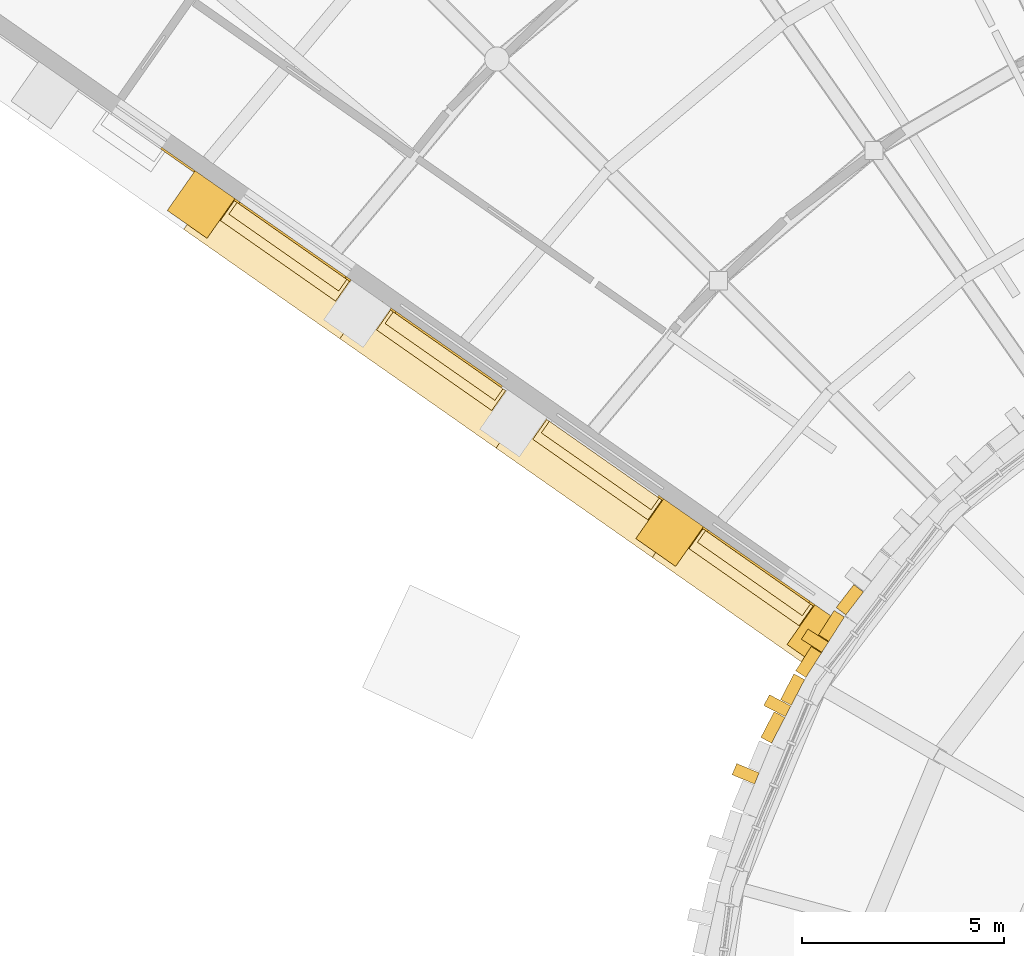
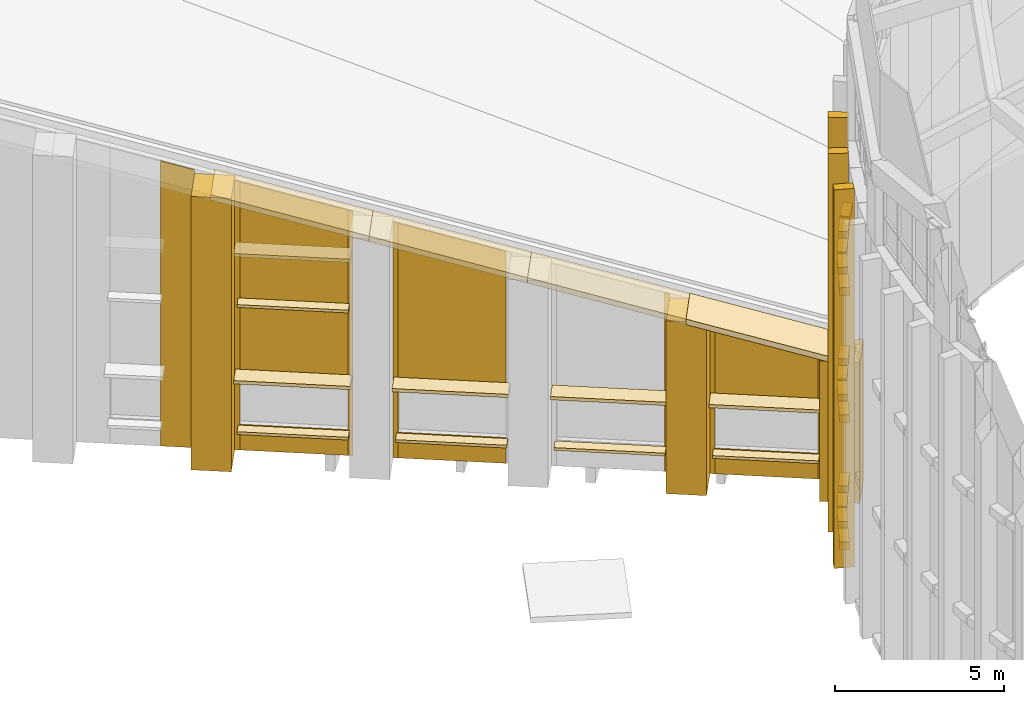
# One storey, part 66 of 82: 46 coverings.
"""IFC4 building model written with IfcOpenShell, lengths in metres."""

from ifc_helpers import new_model, si_unit, direction, frame, origin, origin_2d, place, context, subcontext, project, spatial, polyline, rectangle, outline, extrude, material, layer, layer_set, type_object, element, save


model = new_model("IFC4")

# Units and contexts
model_context = context("Model", 3, precision=1e-05, world=origin(), true_north=direction((0.0, 1.0)))
body_context = subcontext(model_context, "Body", "Model", "MODEL_VIEW")
ifc_project = project(units=[si_unit("LENGTHUNIT", "METRE"), si_unit("AREAUNIT", "SQUARE_METRE"), si_unit("VOLUMEUNIT", "CUBIC_METRE"), si_unit("PLANEANGLEUNIT", "RADIAN"), si_unit("MASSUNIT", "GRAM", prefix="KILO")], contexts=[model_context])

# Site, building, storey
site_placement = place(None, origin())
site = spatial("IfcSite", under=ifc_project, at=site_placement, CompositionType="ELEMENT")
building_placement = place(site_placement, origin())
building = spatial("IfcBuilding", under=site, at=building_placement, Name="Volute Hill Aquarium", CompositionType="ELEMENT")
storey_placement = place(building_placement, frame((0.0, 0.0, 13.800048828125)))
storey = spatial("IfcBuildingStorey", under=building, at=storey_placement, Name="L04", CompositionType="ELEMENT", Elevation=13.800048828125)

# Coverings
ifc_material_1 = material(Name="Precast pale concrete C40/50", Category="concrete")
covering_type_1 = type_object("IfcCoveringType", Name="Drum pier fin 300x600", PredefinedType="CLADDING", material=ifc_material_1)
for number, where, z_axis, x_axis, name in (
    (1, (-17.947509765625, 11.433837890625, 0.0), (0.0, 0.0, 1.0), (-0.537299608347, -0.843391445813, 0.0), "Drum pier fin DF 30 L04"),
    (2, (-18.8759765625, 9.826171875, 0.0), (0.0, 0.0, 1.0), (-0.461748613235, -0.887010833178, 0.0), "Drum pier fin DF 31 L04"),
    (3, (-19.660400390625, 8.1435546875, 0.0), (0.0, 0.0, 1.0), (-0.382683432365, -0.923879532511, 0.0), "Drum pier fin DF 32 L04"),
):
    element("IfcCovering", number, at=place(storey_placement, frame(where, z_axis=z_axis, x_axis=x_axis)), inside=storey, type_object=covering_type_1, Name=name, PredefinedType="CLADDING", context=body_context, shape_type="SweptSolid", body=[
        extrude(rectangle(XDim=0.300048828125, YDim=0.60009765625, at=origin_2d()), origin(), (0.0, 0.0, 1.0), 13.699951171875),
    ])
ifc_material_2 = material(Name="Precast concrete C40/50", Category="concrete")
covering_type_2 = type_object("IfcCoveringType", Name="Drum string course precast concrete C40/50 715x300", PredefinedType="CLADDING", material=ifc_material_2)
for number, where, z_axis, x_axis, name in (
    (4, (-17.0849609375, 12.44482421875, 9.0498046875), (0.0, 0.0, 1.0), (-0.608761429009, -0.793353340291, 0.0), "Drum string course DSC 29.3"),
    (5, (-17.53759765625, 11.798095703125, -0.14990234375), (0.0, 0.0, 1.0), (-0.537299608347, -0.843391445813, 0.0), "Drum string course DSC 30.1"),
    (6, (-18.1044921875, 10.908447265625, -0.14990234375), (0.0, 0.0, 1.0), (-0.537299608347, -0.843391445813, 0.0), "Drum string course DSC 30.1"),
    (7, (-17.53759765625, 11.798095703125, 4.44970703125), (0.0, 0.0, 1.0), (-0.537299608347, -0.843391445813, 0.0), "Drum string course DSC 30.2"),
    (8, (-18.1044921875, 10.908447265625, 4.44970703125), (0.0, 0.0, 1.0), (-0.537299608347, -0.843391445813, 0.0), "Drum string course DSC 30.2"),
    (9, (-17.53759765625, 11.798095703125, 9.0498046875), (0.0, 0.0, 1.0), (-0.537299608347, -0.843391445813, 0.0), "Drum string course DSC 30.3"),
    (10, (-18.1044921875, 10.908447265625, 9.0498046875), (0.0, 0.0, 1.0), (-0.537299608347, -0.843391445813, 0.0), "Drum string course DSC 30.3"),
    (11, (-18.499267578125, 10.224853515625, -0.14990234375), (0.0, 0.0, 1.0), (-0.461748613235, -0.887010833178, 0.0), "Drum string course DSC 31.1"),
    (12, (-18.986328125, 9.2890625, -0.14990234375), (0.0, 0.0, 1.0), (-0.461748613235, -0.887010833178, 0.0), "Drum string course DSC 31.1"),
    (13, (-18.499267578125, 10.224853515625, 4.44970703125), (0.0, 0.0, 1.0), (-0.461748613235, -0.887010833178, 0.0), "Drum string course DSC 31.2"),
    (14, (-18.986328125, 9.2890625, 4.44970703125), (0.0, 0.0, 1.0), (-0.461748613235, -0.887010833178, 0.0), "Drum string course DSC 31.2"),
    (15, (-18.499267578125, 10.224853515625, 9.0498046875), (0.0, 0.0, 1.0), (-0.461748613235, -0.887010833178, 0.0), "Drum string course DSC 31.3"),
    (16, (-18.986328125, 9.2890625, 9.0498046875), (0.0, 0.0, 1.0), (-0.461748613235, -0.887010833178, 0.0), "Drum string course DSC 31.3"),
):
    element("IfcCovering", number, at=place(storey_placement, frame(where, z_axis=z_axis, x_axis=x_axis)), inside=storey, type_object=covering_type_2, Name=name, PredefinedType="CLADDING", context=body_context, shape_type="SweptSolid", body=[
        extrude(rectangle(XDim=0.71484375, YDim=0.300048828125, at=origin_2d()), origin(), (0.0, 0.0, 1.0), 0.300048828125),
    ])
ifc_material_3 = material(Name="Precast concrete C40/50", Category="concrete")
covering_type_3 = type_object("IfcCoveringType", Name="End wall precast coping C40/50 1350x200", PredefinedType="CLADDING", material=ifc_material_3)
covering_1_placement = place(storey_placement, frame((-17.4560546875, 11.978759765625, 5.08544921875), z_axis=(0.573580829812, 0.819148967937, 0.0), x_axis=(-0.793353775544, 0.555518635465, 0.24897556603)))
element("IfcCovering", 17, at=covering_1_placement, inside=storey, type_object=covering_type_3, Name="End wall coping EWC S6B L04 1", PredefinedType="CLADDING", context=body_context, shape_type="SweptSolid", body=[
    extrude(outline(polyline([(0.0, 0.0), (4.711690073964949, 0.0), (4.7615338152112585, 0.19389111533420889), (0.04978295619600972, 0.1936546627545331), (0.0, 0.0)])), origin(), (0.0, 0.0, -1.0), 1.35009765625),
])
covering_2_placement = place(storey_placement, frame((-21.194091796875, 14.59619140625, 6.258544921875), z_axis=(0.573549249016, 0.819171080393, 0.0), x_axis=(-0.793375535157, 0.555488289649, 0.248973934934)))
element("IfcCovering", 18, at=covering_2_placement, inside=storey, type_object=covering_type_3, Name="End wall coping EWC S6B L04 2", PredefinedType="CLADDING", context=body_context, shape_type="SweptSolid", body=[
    extrude(outline(polyline([(0.0, 0.0), (4.8666537008972846, 0.0), (4.916497115605813, 0.19389119927723986), (0.049843414708528044, 0.19389119927723988), (0.0, 0.0)])), origin(), (0.0, 0.0, -1.0), 1.35009765625),
])
covering_3_placement = place(storey_placement, frame((-25.05517578125, 17.299560546875, 7.47021484375), z_axis=(0.573608342351, 0.819129702541, 0.0), x_axis=(-0.79332492492, 0.555538144591, 0.249023961509)))
element("IfcCovering", 19, at=covering_3_placement, inside=storey, type_object=covering_type_3, Name="End wall coping EWC S6B L04 3", PredefinedType="CLADDING", context=body_context, shape_type="SweptSolid", body=[
    extrude(outline(polyline([(0.0, 0.0), (4.866656425979152, 2.220446049250313e-16), (4.9164490589078085, 0.19365217489152542), (0.049853429794259205, 0.19388862443351731), (0.0, 0.0)])), origin(), (0.0, 0.0, -1.0), 1.35009765625),
])
covering_4_placement = place(storey_placement, frame((-28.916015625, 20.003173828125, 8.68212890625), z_axis=(0.573549249016, 0.819171080393, 0.0), x_axis=(-0.793375535157, 0.555488289649, 0.248973934934)))
element("IfcCovering", 20, at=covering_4_placement, inside=storey, type_object=covering_type_3, Name="End wall coping EWC S6B L04 4", PredefinedType="CLADDING", context=body_context, shape_type="SweptSolid", body=[
    extrude(outline(polyline([(0.0, 0.0), (4.8666537008972846, 0.0), (4.916436330953729, 0.19365474659519455), (0.049782630056444475, 0.1936547465951945), (0.0, 0.0)])), origin(), (0.0, 0.0, -1.0), 1.35009765625),
])
ifc_material_4 = material(Name="Precast concrete C40/50", Category="concrete")
covering_type_4 = type_object("IfcCoveringType", Name="End wall precast fin C40/50 1200x1200", PredefinedType="CLADDING", material=ifc_material_4)
covering_5_placement = place(storey_placement, frame((-17.80029296875, 11.4873046875, 0.0), z_axis=(0.0, 0.0, 1.0), x_axis=(-0.819151442029, 0.573577296467, 0.0)))
element("IfcCovering", 21, at=covering_5_placement, inside=storey, type_object=covering_type_4, Name="End wall fin EWF S6B L04 1", PredefinedType="CLADDING", context=body_context, shape_type="SweptSolid", body=[
    extrude(rectangle(XDim=1.199951171875, YDim=1.199951171875, at=origin_2d()), origin(), (0.0, 0.0, 1.0), 5.08544921875),
])
covering_6_placement = place(storey_placement, frame((-21.538330078125, 14.104736328125, 0.0), z_axis=(0.0, 0.0, 1.0), x_axis=(-0.819151442029, 0.573577296467, 0.0)))
element("IfcCovering", 22, at=covering_6_placement, inside=storey, type_object=covering_type_4, Name="End wall fin EWF S6B L04 2", PredefinedType="CLADDING", context=body_context, shape_type="SweptSolid", body=[
    extrude(rectangle(XDim=1.199951171875, YDim=1.199951171875, at=origin_2d()), origin(), (0.0, 0.0, 1.0), 6.2587890625),
])
covering_7_placement = place(storey_placement, frame((-33.12109375, 22.215087890625, 0.0), z_axis=(0.0, 0.0, 1.0), x_axis=(-0.819151442029, 0.573577296467, 0.0)))
element("IfcCovering", 23, at=covering_7_placement, inside=storey, type_object=covering_type_4, Name="End wall fin EWF S6B L04 5", PredefinedType="CLADDING", context=body_context, shape_type="SweptSolid", body=[
    extrude(rectangle(XDim=1.199951171875, YDim=1.199951171875, at=origin_2d()), origin(), (0.0, 0.0, 1.0), 9.893798828125),
])
ifc_material_5 = material(Name="Precast concrete C40/50", Category="concrete")
ifc_layer_1 = layer(ifc_material_5, 0.050048828125)
ifc_layer_set_1 = layer_set([ifc_layer_1], Name="End wall precast infill panel C40/50 50")
covering_type_5 = type_object("IfcCoveringType", Name="End wall precast infill panel C40/50 50", PredefinedType="CLADDING", material=ifc_layer_set_1)
covering_8_placement = place(storey_placement, frame((-17.947509765625, 12.322998046875, 0.0), z_axis=(0.572588637393, 0.819842821722, 0.0), x_axis=(-0.819842821722, 0.572588637393, 0.0)))
element("IfcCovering", 24, at=covering_8_placement, inside=storey, type_object=covering_type_5, Name="End wall panel EWP S6B L04 1", PredefinedType="CLADDING", context=body_context, shape_type="SweptSolid", body=[
    extrude(outline(polyline([(0.0, 0.0), (0.15008593322998537, 0.0), (0.15008593322998537, 5.2783203125), (0.0, 5.23974609375), (0.0, 0.0)])), origin(), (0.0, 0.0, -1.0), 0.050048828125),
])
covering_9_placement = place(storey_placement, frame((-18.070556640625, 12.408935546875, 0.0), z_axis=(0.573590710881, 0.81914204897, 0.0), x_axis=(-0.81914204897, 0.573590710881, 0.0)))
element("IfcCovering", 25, at=covering_9_placement, inside=storey, type_object=covering_type_5, Name="End wall panel EWP S6B L04 1", PredefinedType="CLADDING", context=body_context, shape_type="SweptSolid", body=[
    extrude(outline(polyline([(0.0, 0.0), (3.0632993958803327, 0.0), (3.0632993958803327, 0.89990234375), (0.0, 0.89990234375), (0.0, 0.0)])), origin(), (0.0, 0.0, -1.0), 0.050048828125),
])
covering_10_placement = place(storey_placement, frame((-18.070556640625, 12.408935546875, 2.800048828125), z_axis=(0.573590710881, 0.81914204897, 0.0), x_axis=(-0.81914204897, 0.573590710881, 0.0)))
element("IfcCovering", 26, at=covering_10_placement, inside=storey, type_object=covering_type_5, Name="End wall panel EWP S6B L04 1", PredefinedType="CLADDING", context=body_context, shape_type="SweptSolid", body=[
    extrude(outline(polyline([(0.0, 0.0), (3.0632993958803327, 0.0), (3.0632993958803327, 3.265869140625), (0.0, 2.478271484375), (0.0, 0.0)])), origin(), (0.0, 0.0, -1.0), 0.050048828125),
])
covering_11_placement = place(storey_placement, frame((-20.579833984375, 14.166015625, 0.0), z_axis=(0.573353020881, 0.819308436089, 0.0), x_axis=(-0.819308436089, 0.573353020881, 0.0)))
element("IfcCovering", 27, at=covering_11_placement, inside=storey, type_object=covering_type_5, Name="End wall panel EWP S6B L04 1", PredefinedType="CLADDING", context=body_context, shape_type="SweptSolid", body=[
    extrude(outline(polyline([(0.0, 0.0), (0.1498858414801972, 0.0), (0.1498858414801972, 6.104492187499999), (0.0, 6.065917968749999), (0.0, 0.0)])), origin(), (0.0, 0.0, -1.0), 0.050048828125),
])
covering_12_placement = place(storey_placement, frame((-21.685791015625, 14.9404296875, 0.0), z_axis=(0.573353020881, 0.819308436089, 0.0), x_axis=(-0.819308436089, 0.573353020881, 0.0)))
element("IfcCovering", 28, at=covering_12_placement, inside=storey, type_object=covering_type_5, Name="End wall panel EWP S6B L04 2", PredefinedType="CLADDING", context=body_context, shape_type="SweptSolid", body=[
    extrude(outline(polyline([(0.0, 0.0), (0.1498858414801972, 0.0), (0.1498858414801972, 6.451416015625), (0.0, 6.412841796875), (0.0, 0.0)])), origin(), (0.0, 0.0, -1.0), 0.050048828125),
])
covering_13_placement = place(storey_placement, frame((-25.66943359375, 17.729736328125, 0.0), z_axis=(0.573594906903, 0.819139110759, 0.0), x_axis=(-0.819139110759, 0.573594906903, 0.0)))
element("IfcCovering", 29, at=covering_13_placement, inside=storey, type_object=covering_type_5, Name="End wall panel EWP S6B L04 3", PredefinedType="CLADDING", context=body_context, shape_type="SweptSolid", body=[
    extrude(outline(polyline([(0.0, 0.0), (3.213525253740353, 0.0), (3.213525253740353, 0.89990234375), (0.0, 0.89990234375), (0.0, 0.0)])), origin(), (0.0, 0.0, -1.0), 0.050048828125),
])
covering_14_placement = place(storey_placement, frame((-25.66943359375, 17.729736328125, 2.800048828125), z_axis=(0.573594906903, 0.819139110759, 0.0), x_axis=(-0.819139110759, 0.573594906903, 0.0)))
element("IfcCovering", 30, at=covering_14_placement, inside=storey, type_object=covering_type_5, Name="End wall panel EWP S6B L04 3", PredefinedType="CLADDING", context=body_context, shape_type="SweptSolid", body=[
    extrude(outline(polyline([(0.0, 0.0), (3.213525253740353, 0.0), (3.213525253740353, 5.689208984375), (0.0, 4.863037109375), (0.0, 0.0)])), origin(), (0.0, 0.0, -1.0), 0.050048828125),
])
covering_15_placement = place(storey_placement, frame((-28.3017578125, 19.572998046875, 0.0), z_axis=(0.573353020881, 0.819308436089, 0.0), x_axis=(-0.819308436089, 0.573353020881, 0.0)))
element("IfcCovering", 31, at=covering_15_placement, inside=storey, type_object=covering_type_5, Name="End wall panel EWP S6B L04 3", PredefinedType="CLADDING", context=body_context, shape_type="SweptSolid", body=[
    extrude(outline(polyline([(0.0, 0.0), (0.1498858414801972, 0.0), (0.1498858414801972, 8.52783203125), (0.0, 8.4892578125), (0.0, 0.0)])), origin(), (0.0, 0.0, -1.0), 0.050048828125),
])
covering_16_placement = place(storey_placement, frame((-29.407470703125, 20.34716796875, 0.0), z_axis=(0.57368046593, 0.819079192149, 0.0), x_axis=(-0.819079192149, 0.57368046593, 0.0)))
element("IfcCovering", 32, at=covering_16_placement, inside=storey, type_object=covering_type_5, Name="End wall panel EWP S6B L04 4", PredefinedType="CLADDING", context=body_context, shape_type="SweptSolid", body=[
    extrude(outline(polyline([(0.0, 0.0), (0.15022585871973665, 0.0), (0.15022585871973665, 8.874755859375), (0.0, 8.836181640625), (0.0, 0.0)])), origin(), (0.0, 0.0, -1.0), 0.050048828125),
])
covering_17_placement = place(storey_placement, frame((-29.530517578125, 20.433349609375, 0.0), z_axis=(0.573579624401, 0.819149811983, 0.0), x_axis=(-0.819149811983, 0.573579624401, 0.0)))
element("IfcCovering", 33, at=covering_17_placement, inside=storey, type_object=covering_type_5, Name="End wall panel EWP S6B L04 4", PredefinedType="CLADDING", context=body_context, shape_type="SweptSolid", body=[
    extrude(outline(polyline([(0.0, 0.0), (3.2131852313460314, 0.0), (3.2131852313460314, 0.89990234375), (0.0, 0.89990234375), (0.0, 0.0)])), origin(), (0.0, 0.0, -1.0), 0.050048828125),
])
covering_18_placement = place(storey_placement, frame((-29.530517578125, 20.433349609375, 2.800048828125), z_axis=(0.573579624401, 0.819149811983, 0.0), x_axis=(-0.819149811983, 0.573579624401, 0.0)))
element("IfcCovering", 34, at=covering_18_placement, inside=storey, type_object=covering_type_5, Name="End wall panel EWP S6B L04 4", PredefinedType="CLADDING", context=body_context, shape_type="SweptSolid", body=[
    extrude(outline(polyline([(0.0, 0.0), (3.2131852313460314, 0.0), (3.2131852313460314, 6.90087890625), (0.0, 6.07470703125), (0.0, 0.0)])), origin(), (0.0, 0.0, -1.0), 0.050048828125),
])
covering_19_placement = place(storey_placement, frame((-32.16259765625, 22.2763671875, 0.0), z_axis=(0.574444878118, 0.818543268254, 0.0), x_axis=(-0.818543268254, 0.574444878118, 0.0)))
element("IfcCovering", 35, at=covering_19_placement, inside=storey, type_object=covering_type_5, Name="End wall panel EWP S6B L04 4", PredefinedType="CLADDING", context=body_context, shape_type="SweptSolid", body=[
    extrude(outline(polyline([(0.0, 0.0), (0.15002595359068194, 0.0), (0.15002595359068194, 9.739501953124998), (0.0, 9.700927734374998), (0.0, 0.0)])), origin(), (0.0, 0.0, -1.0), 0.050048828125),
])
covering_20_placement = place(storey_placement, frame((-33.2685546875, 23.05078125, 0.0), z_axis=(0.573641397746, 0.819106553991, 0.0), x_axis=(-0.819106553991, 0.573641397746, 0.0)))
element("IfcCovering", 36, at=covering_20_placement, inside=storey, type_object=covering_type_5, Name="End wall panel EWP S6B L04 5", PredefinedType="CLADDING", context=body_context, shape_type="SweptSolid", body=[
    extrude(outline(polyline([(0.0, 0.0), (1.0065392427975994, 0.0), (1.0065392427975994, 10.306884765625), (0.0, 10.048095703125), (0.0, 0.0)])), origin(), (0.0, 0.0, -1.0), 0.050048828125),
])
ifc_material_6 = material(Name="Precast concrete C40/50", Category="concrete")
ifc_layer_2 = layer(ifc_material_6, 0.1201171875)
ifc_layer_set_2 = layer_set([ifc_layer_2], Name="End wall window head blade precast C40/50 600x120")
covering_type_6 = type_object("IfcCoveringType", Name="End wall window head blade precast C40/50 600x120", PredefinedType="CLADDING", material=ifc_layer_set_2)
covering_21_placement = place(storey_placement, frame((-19.52587890625, 13.000732421875, 2.7998046875), z_axis=(0.0, 0.0, 1.0), x_axis=(-0.819151442029, 0.573577296467, 0.0)))
element("IfcCovering", 37, at=covering_21_placement, inside=storey, type_object=covering_type_6, Name="End wall window head blade EWB S6B L04 1.1", PredefinedType="CLADDING", context=body_context, shape_type="SweptSolid", body=[
    extrude(rectangle(XDim=3.3232421875, YDim=0.60009765625, at=origin_2d()), origin(), (0.0, 0.0, 1.0), 0.1201171875),
])
for number, where, z_axis, x_axis, name in (
    (38, (-23.325439453125, 15.6611328125, 2.7998046875), (0.0, 0.0, 1.0), (-0.819151442029, 0.573577296467, 0.0), "End wall window head blade EWB S6B L04 2.1"),
    (39, (-27.1865234375, 18.36474609375, 2.7998046875), (0.0, 0.0, 1.0), (-0.819151442029, 0.573577296467, 0.0), "End wall window head blade EWB S6B L04 3.1"),
    (40, (-31.04736328125, 21.068115234375, 2.7998046875), (0.0, 0.0, 1.0), (-0.819151442029, 0.573577296467, 0.0), "End wall window head blade EWB S6B L04 4.1"),
    (41, (-31.04736328125, 21.068115234375, 7.39990234375), (0.0, 0.0, 1.0), (-0.819151442029, 0.573577296467, 0.0), "End wall window head blade EWB S6B L04 4.2"),
):
    element("IfcCovering", number, at=place(storey_placement, frame(where, z_axis=z_axis, x_axis=x_axis)), inside=storey, type_object=covering_type_6, Name=name, PredefinedType="CLADDING", context=body_context, shape_type="SweptSolid", body=[
        extrude(rectangle(XDim=3.473388671875, YDim=0.60009765625, at=origin_2d()), origin(), (0.0, 0.0, 1.0), 0.1201171875),
    ])
ifc_material_7 = material(Name="Precast concrete C40/50", Category="concrete")
ifc_layer_3 = layer(ifc_material_7, 0.10009765625)
ifc_layer_set_3 = layer_set([ifc_layer_3], Name="End wall window sill precast C40/50 350x100")
covering_type_7 = type_object("IfcCoveringType", Name="End wall window sill precast C40/50 350x100", PredefinedType="CLADDING", material=ifc_layer_set_3)
covering_22_placement = place(storey_placement, frame((-19.454345703125, 13.10302734375, 0.7998046875), z_axis=(0.0, 0.0, 1.0), x_axis=(-0.819151442029, 0.573577296467, 0.0)))
element("IfcCovering", 42, at=covering_22_placement, inside=storey, type_object=covering_type_7, Name="End wall window sill EWS S6B L04 1.1", PredefinedType="CLADDING", context=body_context, shape_type="SweptSolid", body=[
    extrude(rectangle(XDim=3.163330078125, YDim=0.35009765625, at=origin_2d()), origin(), (0.0, 0.0, 1.0), 0.10009765625),
])
for number, where, z_axis, x_axis, name in (
    (43, (-23.253662109375, 15.763671875, 0.7998046875), (0.0, 0.0, 1.0), (-0.819151442029, 0.573577296467, 0.0), "End wall window sill EWS S6B L04 2.1"),
    (44, (-27.11474609375, 18.467041015625, 0.7998046875), (0.0, 0.0, 1.0), (-0.819151442029, 0.573577296467, 0.0), "End wall window sill EWS S6B L04 3.1"),
    (45, (-30.9755859375, 21.17041015625, 0.7998046875), (0.0, 0.0, 1.0), (-0.819151442029, 0.573577296467, 0.0), "End wall window sill EWS S6B L04 4.1"),
    (46, (-30.9755859375, 21.17041015625, 5.39990234375), (0.0, 0.0, 1.0), (-0.819151442029, 0.573577296467, 0.0), "End wall window sill EWS S6B L04 4.2"),
):
    element("IfcCovering", number, at=place(storey_placement, frame(where, z_axis=z_axis, x_axis=x_axis)), inside=storey, type_object=covering_type_7, Name=name, PredefinedType="CLADDING", context=body_context, shape_type="SweptSolid", body=[
        extrude(rectangle(XDim=3.313232421875, YDim=0.35009765625, at=origin_2d()), origin(), (0.0, 0.0, 1.0), 0.10009765625),
    ])

save(model, "model.ifc")
